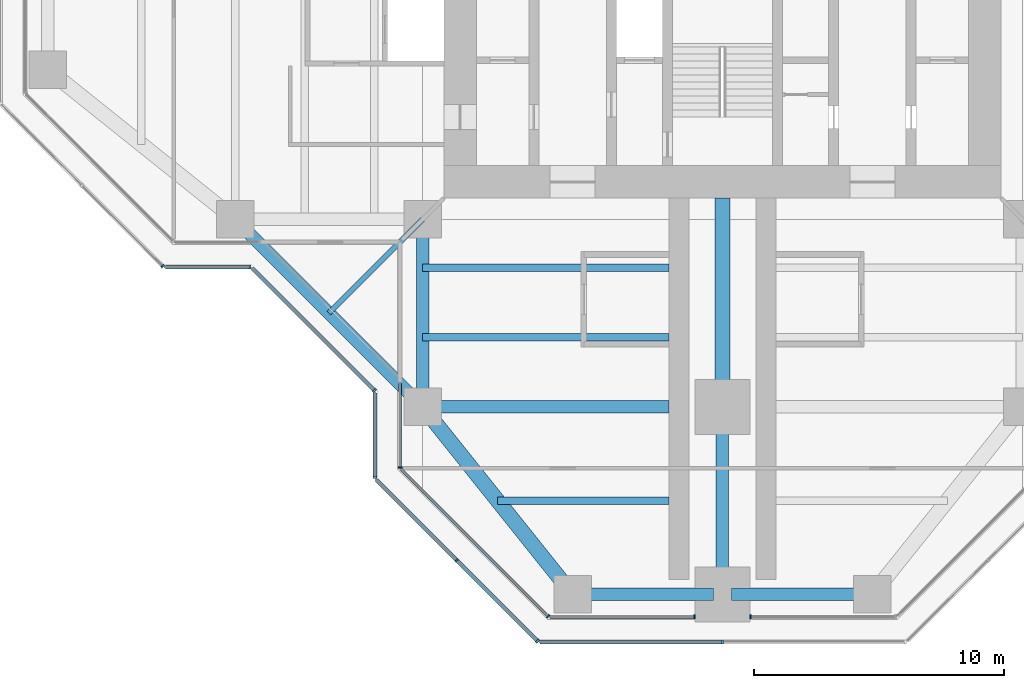
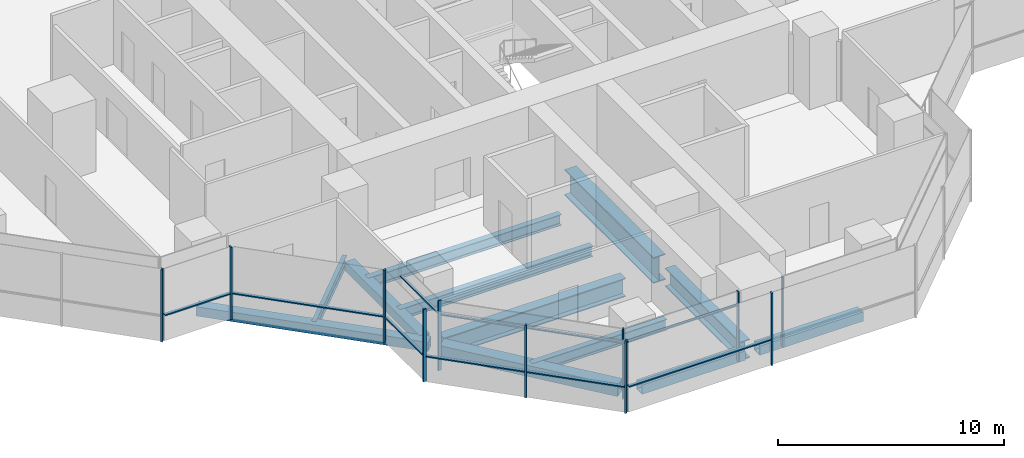
# One storey, part 2 of 17: 20 members, 12 beams, 10 elements without a shape of their own.
"""IFC4 building model written with IfcOpenShell, lengths in metres."""

from ifc_helpers import new_model, si_unit, direction, frame, origin, origin_2d, place, context, subcontext, project, spatial, rectangle, hollow_rectangle, i_section, extrude, material, material_profile, profile_set, type_object, element, aggregate, save


model = new_model("IFC4")

# Units and contexts
model_context = context("Model", 3, precision=1e-05, world=origin(), true_north=direction((0.0, 1.0)))
body_context = subcontext(model_context, "Body", "Model", "MODEL_VIEW")
ifc_project = project(units=[si_unit("LENGTHUNIT", "METRE"), si_unit("AREAUNIT", "SQUARE_METRE"), si_unit("VOLUMEUNIT", "CUBIC_METRE"), si_unit("PLANEANGLEUNIT", "RADIAN"), si_unit("MASSUNIT", "GRAM", prefix="KILO")], contexts=[model_context])

# Site, building, storey
site_placement = place(None, origin())
site = spatial("IfcSite", under=ifc_project, at=site_placement, CompositionType="ELEMENT")
building_placement = place(site_placement, origin())
building = spatial("IfcBuilding", under=site, at=building_placement, Name="Mizan Broadcast Tower", CompositionType="ELEMENT")
storey_placement = place(building_placement, frame((0.0, 0.0, 216.60009765625)))
storey = spatial("IfcBuildingStorey", under=building, at=storey_placement, Name="L50", CompositionType="ELEMENT", Elevation=216.60009765625)

# Beams
ifc_material_1 = material(Name="Steel S355", Category="steel")
ifc_material_profile_1 = material_profile(ifc_material_1, hollow_rectangle(XDim=0.5, YDim=0.5, WallThickness=0.030029296875, at=origin_2d()), Name="BOX 500x500x30")
ifc_profile_set_1 = profile_set([ifc_material_profile_1], Name="Steel S355")
beam_type_1 = type_object("IfcBeamType", Name="EDGE BEAM BOX 500x500x30", PredefinedType="SPANDREL", material=ifc_profile_set_1)
beam_1_placement = place(storey_placement, frame((-12.0, -12.449951171875, -0.380126953125), z_axis=(0.0, -1.0, 0.0), x_axis=(1.0, 0.0, 0.0)))
element("IfcBeam", 1, at=beam_1_placement, inside=storey, type_object=beam_type_1, Name="Edge beam BOX 500x500x30 L50 south arm", PredefinedType="SPANDREL", context=body_context, shape_type="SweptSolid", body=[
    extrude(hollow_rectangle(XDim=0.5, YDim=0.5, WallThickness=0.030029296875, at=origin_2d()), origin(), (0.0, 0.0, 1.0), 6.60009765625),
])
for number, where, z_axis, x_axis, name in (
    (2, (-5.639892578125, -27.0, -0.380126953125), (1.0, 0.0, 0.0), (0.0, 1.0, 0.0), "Edge beam BOX 500x500x30 L50 south arm"),
    (3, (5.639892578125, -27.0, -0.380126953125), (-1.0, 0.0, 0.0), (0.0, -1.0, 0.0), "Edge beam BOX 500x500x30 L50 south arm"),
):
    element("IfcBeam", number, at=place(storey_placement, frame(where, z_axis=z_axis, x_axis=x_axis)), inside=storey, type_object=beam_type_1, Name=name, PredefinedType="SPANDREL", context=body_context, shape_type="SweptSolid", body=[
        extrude(hollow_rectangle(XDim=0.5, YDim=0.5, WallThickness=0.030029296875, at=origin_2d()), origin(), (0.0, 0.0, 1.0), 5.27978515625),
    ])
beam_2_placement = place(storey_placement, frame((-19.5, -12.0, -0.380126953125), z_axis=(0.707106781187, -0.707106781187, 0.0), x_axis=(0.707106781187, 0.707106781187, 0.0)))
element("IfcBeam", 4, at=beam_2_placement, inside=storey, type_object=beam_type_1, Name="Winter garden edge beam L50 W", PredefinedType="SPANDREL", context=body_context, shape_type="SweptSolid", body=[
    extrude(hollow_rectangle(XDim=0.5, YDim=0.5, WallThickness=0.030029296875, at=origin_2d()), origin(), (0.0, 0.0, 1.0), 10.606689453125),
])
ifc_material_2 = material(Name="Steel S355", Category="steel")
ifc_material_profile_2 = material_profile(ifc_material_2, hollow_rectangle(XDim=0.60009765625, YDim=0.60009765625, WallThickness=0.030029296875, at=origin_2d()), Name="BOX 600x600x30")
ifc_profile_set_2 = profile_set([ifc_material_profile_2], Name="Steel S355")
beam_type_2 = type_object("IfcBeamType", Name="EDGE BEAM BOX 600x600x30", PredefinedType="SPANDREL", material=ifc_profile_set_2)
beam_3_placement = place(storey_placement, frame((-11.639892578125, -19.949951171875, -0.43017578125), z_axis=(0.624673911726, -0.780885717636, 0.0), x_axis=(0.780885717636, 0.624673911726, 0.0)))
element("IfcBeam", 5, at=beam_3_placement, inside=storey, type_object=beam_type_2, Name="Edge beam BOX 600x600x30 L50 south arm", PredefinedType="SPANDREL", context=body_context, shape_type="SweptSolid", body=[
    extrude(hollow_rectangle(XDim=0.60009765625, YDim=0.60009765625, WallThickness=0.030029296875, at=origin_2d()), origin(), (0.0, 0.0, 1.0), 8.4521484375),
])
ifc_material_3 = material(Name="Steel S460", Category="steel")
ifc_material_profile_3 = material_profile(ifc_material_3, i_section(OverallWidth=0.5, OverallDepth=1.0, WebThickness=0.02490234375, FlangeThickness=0.050048828125, at=origin_2d()), Name="WPG 1000x500")
ifc_profile_set_3 = profile_set([ifc_material_profile_3], Name="Steel S460")
beam_type_3 = type_object("IfcBeamType", Name="GIRDER WPG 1000x500", PredefinedType="BEAM", material=ifc_profile_set_3)
beam_4_placement = place(storey_placement, frame((0.0, -19.949951171875, -0.630126953125), z_axis=(0.0, -1.0, 0.0), x_axis=(1.0, 0.0, 0.0)))
element("IfcBeam", 6, at=beam_4_placement, inside=storey, type_object=beam_type_3, Name="Girder WPG 1000x500 L50 south arm", PredefinedType="BEAM", context=body_context, shape_type="SweptSolid", body=[
    extrude(i_section(OverallWidth=0.5, OverallDepth=1.0, WebThickness=0.02490234375, FlangeThickness=0.050048828125, at=origin_2d()), origin(), (0.0, 0.0, 1.0), 6.60009765625),
])
beam_5_placement = place(storey_placement, frame((-11.408935546875, -19.5, -0.630126953125), z_axis=(1.0, 0.0, 0.0), x_axis=(0.0, 1.0, 0.0)))
element("IfcBeam", 7, at=beam_5_placement, inside=storey, type_object=beam_type_3, Name="Girder WPG 1000x500 L50 south arm", PredefinedType="BEAM", context=body_context, shape_type="SweptSolid", body=[
    extrude(i_section(OverallWidth=0.5, OverallDepth=1.0, WebThickness=0.02490234375, FlangeThickness=0.050048828125, at=origin_2d()), origin(), (0.0, 0.0, 1.0), 9.259033203125),
])
ifc_material_4 = material(Name="Steel S460", Category="steel")
ifc_material_profile_4 = material_profile(ifc_material_4, i_section(OverallWidth=0.60009765625, OverallDepth=1.39990234375, WebThickness=0.02490234375, FlangeThickness=0.06005859375, at=origin_2d()), Name="WPG 1400x600")
ifc_profile_set_4 = profile_set([ifc_material_profile_4], Name="Steel S460")
beam_type_4 = type_object("IfcBeamType", Name="GIRDER WPG 1400x600", PredefinedType="BEAM", material=ifc_profile_set_4)
beam_6_placement = place(storey_placement, frame((0.0, -11.14990234375, -0.830078125), z_axis=(0.0, -1.0, 0.0), x_axis=(1.0, 0.0, 0.0)))
element("IfcBeam", 8, at=beam_6_placement, inside=storey, type_object=beam_type_4, Name="Girder WPG 1400x600 L50 south arm", PredefinedType="BEAM", context=body_context, shape_type="SweptSolid", body=[
    extrude(i_section(OverallWidth=0.60009765625, OverallDepth=1.39990234375, WebThickness=0.02490234375, FlangeThickness=0.06005859375, at=origin_2d()), origin(), (0.0, 0.0, 1.0), 7.84912109375),
])

# Curtain wall, member
ifc_material_5 = material(Name="Aluminium framed glazing", Category="aluminium")
curtain_wall_type_1 = type_object("IfcCurtainWallType", Name="INNER SKIN HIGH ZONE", PredefinedType="USERDEFINED", material=ifc_material_5)
curtain_wall_1_placement = place(storey_placement, origin())
curtain_wall_1 = element("IfcCurtainWall", 9, at=curtain_wall_1_placement, inside=storey, type_object=curtain_wall_type_1, Name="Inner skin high zone L50 S side", ObjectType="INNER SKIN HIGH ZONE", PredefinedType="USERDEFINED")
ifc_material_6 = material(Name="Aluminium, pale anodised", Category="aluminium")
ifc_material_profile_5 = material_profile(ifc_material_6, rectangle(XDim=0.159912109375, YDim=0.06005859375, at=origin_2d()), Name="MULLION 160x60")
ifc_profile_set_5 = profile_set([ifc_material_profile_5], Name="Aluminium, pale anodised")
member_type_1 = type_object("IfcMemberType", Name="INNER SKIN MULLION 60x160", PredefinedType="MULLION", material=ifc_profile_set_5)
member_1_placement = place(storey_placement, frame((-12.89990234375, -21.928466796875, 0.0), z_axis=(0.0, 0.0, 1.0), x_axis=(1.0, 0.0, 0.0)))
member_1 = element("IfcMember", 10, at=member_1_placement, type_object=member_type_1, Name="Inner skin high zone L50 S side mullion 2", PredefinedType="MULLION", context=body_context, shape_type="SweptSolid", body=[
    extrude(rectangle(XDim=0.159912109375, YDim=0.06005859375, at=origin_2d()), origin(), (0.0, 0.0, 1.0), 3.77001953125),
])

curtain_wall_2_placement = place(storey_placement, origin())
curtain_wall_2 = element("IfcCurtainWall", 11, at=curtain_wall_2_placement, inside=storey, type_object=curtain_wall_type_1, Name="Inner skin high zone L50 S chamfer", ObjectType="INNER SKIN HIGH ZONE", PredefinedType="USERDEFINED")
member_2_placement = place(storey_placement, frame((-6.979736328125, -27.87890625, 0.0), z_axis=(0.0, 0.0, 1.0), x_axis=(0.707106781187, 0.707106781187, 0.0)))
member_2 = element("IfcMember", 12, at=member_2_placement, type_object=member_type_1, Name="Inner skin high zone L50 S chamfer mullion 2", PredefinedType="MULLION", context=body_context, shape_type="SweptSolid", body=[
    extrude(rectangle(XDim=0.159912109375, YDim=0.06005859375, at=origin_2d()), origin(), (0.0, 0.0, 1.0), 3.77001953125),
])

curtain_wall_3_placement = place(storey_placement, origin())
curtain_wall_3 = element("IfcCurtainWall", 13, at=curtain_wall_3_placement, inside=storey, type_object=curtain_wall_type_1, Name="Inner skin high zone L50 S end", ObjectType="INNER SKIN HIGH ZONE", PredefinedType="USERDEFINED")
member_3_placement = place(storey_placement, frame((-1.1298828125, -27.89990234375, 0.0), z_axis=(0.0, 0.0, 1.0), x_axis=(0.0, 1.0, 0.0)))
member_3 = element("IfcMember", 14, at=member_3_placement, type_object=member_type_1, Name="Inner skin high zone L50 S end mullion 2", PredefinedType="MULLION", context=body_context, shape_type="SweptSolid", body=[
    extrude(rectangle(XDim=0.159912109375, YDim=0.06005859375, at=origin_2d()), origin(), (0.0, 0.0, 1.0), 3.77001953125),
])

curtain_wall_4_placement = place(storey_placement, origin())
curtain_wall_4 = element("IfcCurtainWall", 15, at=curtain_wall_4_placement, inside=storey, type_object=curtain_wall_type_1, Name="Inner skin high zone L50 S end", ObjectType="INNER SKIN HIGH ZONE", PredefinedType="USERDEFINED")
member_4_placement = place(storey_placement, frame((1.1298828125, -27.89990234375, 0.0), z_axis=(0.0, 0.0, 1.0), x_axis=(0.0, 1.0, 0.0)))
member_4 = element("IfcMember", 16, at=member_4_placement, type_object=member_type_1, Name="Inner skin high zone L50 S end mullion 1", PredefinedType="MULLION", context=body_context, shape_type="SweptSolid", body=[
    extrude(rectangle(XDim=0.159912109375, YDim=0.06005859375, at=origin_2d()), origin(), (0.0, 0.0, 1.0), 3.77001953125),
])
aggregate(curtain_wall_4, [member_4])

# Member
ifc_material_7 = material(Name="Aluminium, pale anodised", Category="aluminium")
ifc_material_profile_6 = material_profile(ifc_material_7, rectangle(XDim=0.1201171875, YDim=0.06005859375, at=origin_2d()), Name="TRANSOM 120x60")
ifc_profile_set_6 = profile_set([ifc_material_profile_6], Name="Aluminium, pale anodised")
member_type_2 = type_object("IfcMemberType", Name="INNER SKIN TRANSOM 60x120", PredefinedType="USERDEFINED", material=ifc_profile_set_6)
member_5_placement = place(storey_placement, frame((-12.89990234375, -18.56005859375, 3.02978515625), z_axis=(0.0, -1.0, 0.0), x_axis=(1.0, 0.0, 0.0)))
member_5 = element("IfcMember", 17, at=member_5_placement, type_object=member_type_2, Name="Inner skin high zone L50 S side transom 1.1", ObjectType="TRANSOM", PredefinedType="USERDEFINED", context=body_context, shape_type="SweptSolid", body=[
    extrude(rectangle(XDim=0.1201171875, YDim=0.06005859375, at=origin_2d()), origin(), (0.0, 0.0, 1.0), 3.338623046875),
])

aggregate(curtain_wall_1, [member_1, member_5])

member_6_placement = place(storey_placement, frame((-12.857666015625, -22.0009765625, 3.02978515625), z_axis=(0.707106781187, -0.707106781187, 0.0), x_axis=(0.707106781187, 0.707106781187, 0.0)))
member_6 = element("IfcMember", 18, at=member_6_placement, type_object=member_type_2, Name="Inner skin high zone L50 S chamfer transom 1.1", ObjectType="TRANSOM", PredefinedType="USERDEFINED", context=body_context, shape_type="SweptSolid", body=[
    extrude(rectangle(XDim=0.1201171875, YDim=0.06005859375, at=origin_2d()), origin(), (0.0, 0.0, 1.0), 8.28271484375),
])

aggregate(curtain_wall_2, [member_2, member_6])

member_7_placement = place(storey_placement, frame((-6.898681640625, -27.89990234375, 3.02978515625), z_axis=(1.0, 0.0, 0.0), x_axis=(0.0, 1.0, 0.0)))
member_7 = element("IfcMember", 19, at=member_7_placement, type_object=member_type_2, Name="Inner skin high zone L50 S end transom 1.1", ObjectType="TRANSOM", PredefinedType="USERDEFINED", context=body_context, shape_type="SweptSolid", body=[
    extrude(rectangle(XDim=0.1201171875, YDim=0.06005859375, at=origin_2d()), origin(), (0.0, 0.0, 1.0), 5.73876953125),
])

aggregate(curtain_wall_3, [member_3, member_7])

# Curtain wall, member
ifc_material_8 = material(Name="Aluminium framed glazing", Category="aluminium")
curtain_wall_type_2 = type_object("IfcCurtainWallType", Name="OUTER SKIN", PredefinedType="USERDEFINED", material=ifc_material_8)
curtain_wall_5_placement = place(storey_placement, origin())
curtain_wall_5 = element("IfcCurtainWall", 20, at=curtain_wall_5_placement, inside=storey, type_object=curtain_wall_type_2, Name="Outer skin L50 W chamfer", ObjectType="OUTER SKIN", PredefinedType="USERDEFINED")
ifc_material_9 = material(Name="Aluminium, pale anodised", Category="aluminium")
ifc_material_profile_7 = material_profile(ifc_material_9, rectangle(XDim=0.159912109375, YDim=0.080078125, at=origin_2d()), Name="MULLION 160x80")
ifc_profile_set_7 = profile_set([ifc_material_profile_7], Name="Aluminium, pale anodised")
member_type_3 = type_object("IfcMemberType", Name="OUTER SKIN MULLION 80x160", PredefinedType="MULLION", material=ifc_profile_set_7)
member_8_placement = place(storey_placement, frame((-22.401123046875, -13.871826171875, 0.0), z_axis=(0.0, 0.0, 1.0), x_axis=(0.707106781187, 0.707106781187, 0.0)))
member_8 = element("IfcMember", 21, at=member_8_placement, type_object=member_type_3, Name="Outer skin L50 W chamfer mullion 3", PredefinedType="MULLION", context=body_context, shape_type="SweptSolid", body=[
    extrude(rectangle(XDim=0.159912109375, YDim=0.080078125, at=origin_2d()), origin(), (0.0, 0.0, 1.0), 3.89990234375),
])
aggregate(curtain_wall_5, [member_8])

curtain_wall_6_placement = place(storey_placement, origin())
curtain_wall_6 = element("IfcCurtainWall", 22, at=curtain_wall_6_placement, inside=storey, type_object=curtain_wall_type_2, Name="Outer skin L50 W side", ObjectType="OUTER SKIN", PredefinedType="USERDEFINED")
member_9_placement = place(storey_placement, frame((-18.912841796875, -13.89990234375, 0.0), z_axis=(0.0, 0.0, 1.0), x_axis=(0.0, 1.0, 0.0)))
member_9 = element("IfcMember", 23, at=member_9_placement, type_object=member_type_3, Name="Outer skin L50 W side mullion 2", PredefinedType="MULLION", context=body_context, shape_type="SweptSolid", body=[
    extrude(rectangle(XDim=0.159912109375, YDim=0.080078125, at=origin_2d()), origin(), (0.0, 0.0, 1.0), 3.89990234375),
])

curtain_wall_7_placement = place(storey_placement, origin())
curtain_wall_7 = element("IfcCurtainWall", 24, at=curtain_wall_7_placement, inside=storey, type_object=curtain_wall_type_2, Name="Outer skin L50 W chamfer", ObjectType="OUTER SKIN", PredefinedType="USERDEFINED")
member_10_placement = place(storey_placement, frame((-13.92822265625, -18.844482421875, 0.0), z_axis=(0.0, 0.0, 1.0), x_axis=(0.707106781187, 0.707106781187, 0.0)))
member_10 = element("IfcMember", 25, at=member_10_placement, type_object=member_type_3, Name="Outer skin L50 W chamfer mullion 2", PredefinedType="MULLION", context=body_context, shape_type="SweptSolid", body=[
    extrude(rectangle(XDim=0.159912109375, YDim=0.080078125, at=origin_2d()), origin(), (0.0, 0.0, 1.0), 3.89990234375),
])

curtain_wall_8_placement = place(storey_placement, origin())
curtain_wall_8 = element("IfcCurtainWall", 26, at=curtain_wall_8_placement, inside=storey, type_object=curtain_wall_type_2, Name="Outer skin L50 S side", ObjectType="OUTER SKIN", PredefinedType="USERDEFINED")
member_11_placement = place(storey_placement, frame((-13.89990234375, -22.332763671875, 0.0), z_axis=(0.0, 0.0, 1.0), x_axis=(1.0, 0.0, 0.0)))
member_11 = element("IfcMember", 27, at=member_11_placement, type_object=member_type_3, Name="Outer skin L50 S side mullion 2", PredefinedType="MULLION", context=body_context, shape_type="SweptSolid", body=[
    extrude(rectangle(XDim=0.159912109375, YDim=0.080078125, at=origin_2d()), origin(), (0.0, 0.0, 1.0), 3.89990234375),
])

# Curtain wall, members
curtain_wall_9_placement = place(storey_placement, origin())
curtain_wall_9 = element("IfcCurtainWall", 28, at=curtain_wall_9_placement, inside=storey, type_object=curtain_wall_type_2, Name="Outer skin L50 S chamfer", ObjectType="OUTER SKIN", PredefinedType="USERDEFINED")
member_12_placement = place(storey_placement, frame((-10.636474609375, -25.636474609375, 0.0), z_axis=(0.0, 0.0, 1.0), x_axis=(0.707106781187, 0.707106781187, 0.0)))
member_12 = element("IfcMember", 29, at=member_12_placement, type_object=member_type_3, Name="Outer skin L50 S chamfer mullion 2", PredefinedType="MULLION", context=body_context, shape_type="SweptSolid", body=[
    extrude(rectangle(XDim=0.159912109375, YDim=0.080078125, at=origin_2d()), origin(), (0.0, 0.0, 1.0), 3.89990234375),
])
member_13_placement = place(storey_placement, frame((-7.401123046875, -28.871826171875, 0.0), z_axis=(0.0, 0.0, 1.0), x_axis=(0.707106781187, 0.707106781187, 0.0)))
member_13 = element("IfcMember", 30, at=member_13_placement, type_object=member_type_3, Name="Outer skin L50 S chamfer mullion 3", PredefinedType="MULLION", context=body_context, shape_type="SweptSolid", body=[
    extrude(rectangle(XDim=0.159912109375, YDim=0.080078125, at=origin_2d()), origin(), (0.0, 0.0, 1.0), 3.89990234375),
])

# Curtain wall, member
curtain_wall_10_placement = place(storey_placement, origin())
curtain_wall_10 = element("IfcCurtainWall", 31, at=curtain_wall_10_placement, inside=storey, type_object=curtain_wall_type_2, Name="Outer skin L50 S end", ObjectType="OUTER SKIN", PredefinedType="USERDEFINED")
member_14_placement = place(storey_placement, frame((0.0, -28.89990234375, 0.0), z_axis=(0.0, 0.0, 1.0), x_axis=(0.0, 1.0, 0.0)))
member_14 = element("IfcMember", 32, at=member_14_placement, type_object=member_type_3, Name="Outer skin L50 S end mullion 2", PredefinedType="MULLION", context=body_context, shape_type="SweptSolid", body=[
    extrude(rectangle(XDim=0.159912109375, YDim=0.080078125, at=origin_2d()), origin(), (0.0, 0.0, 1.0), 3.89990234375),
])

# Member
ifc_material_10 = material(Name="Aluminium, pale anodised", Category="aluminium")
ifc_material_profile_8 = material_profile(ifc_material_10, rectangle(XDim=0.159912109375, YDim=0.06005859375, at=origin_2d()), Name="TRANSOM 160x60")
ifc_profile_set_8 = profile_set([ifc_material_profile_8], Name="Aluminium, pale anodised")
member_type_4 = type_object("IfcMemberType", Name="OUTER SKIN TRANSOM 60x160", PredefinedType="USERDEFINED", material=ifc_profile_set_8)
member_15_placement = place(storey_placement, frame((-22.292724609375, -13.89990234375, 1.39990234375), z_axis=(1.0, 0.0, 0.0), x_axis=(0.0, 1.0, 0.0)))
member_15 = element("IfcMember", 33, at=member_15_placement, type_object=member_type_4, Name="Outer skin L50 W side transom 1.1", ObjectType="TRANSOM", PredefinedType="USERDEFINED", context=body_context, shape_type="SweptSolid", body=[
    extrude(rectangle(XDim=0.159912109375, YDim=0.06005859375, at=origin_2d()), origin(), (0.0, 0.0, 1.0), 3.33984375),
])

aggregate(curtain_wall_6, [member_9, member_15])

member_16_placement = place(storey_placement, frame((-18.816162109375, -13.95654296875, 1.39990234375), z_axis=(0.707106781187, -0.707106781187, 0.0), x_axis=(0.707106781187, 0.707106781187, 0.0)))
member_16 = element("IfcMember", 34, at=member_16_placement, type_object=member_type_4, Name="Outer skin L50 W chamfer transom 1.1", ObjectType="TRANSOM", PredefinedType="USERDEFINED", context=body_context, shape_type="SweptSolid", body=[
    extrude(rectangle(XDim=0.159912109375, YDim=0.06005859375, at=origin_2d()), origin(), (0.0, 0.0, 1.0), 6.87255859375),
])

aggregate(curtain_wall_7, [member_10, member_16])

member_17_placement = place(storey_placement, frame((-13.89990234375, -18.952880859375, 1.39990234375), z_axis=(0.0, -1.0, 0.0), x_axis=(1.0, 0.0, 0.0)))
member_17 = element("IfcMember", 35, at=member_17_placement, type_object=member_type_4, Name="Outer skin L50 S side transom 1.1", ObjectType="TRANSOM", PredefinedType="USERDEFINED", context=body_context, shape_type="SweptSolid", body=[
    extrude(rectangle(XDim=0.159912109375, YDim=0.06005859375, at=origin_2d()), origin(), (0.0, 0.0, 1.0), 3.33984375),
])

aggregate(curtain_wall_8, [member_11, member_17])

member_18_placement = place(storey_placement, frame((-13.843505859375, -22.429443359375, 1.39990234375), z_axis=(0.707106781187, -0.707106781187, 0.0), x_axis=(0.707106781187, 0.707106781187, 0.0)))
member_18 = element("IfcMember", 36, at=member_18_placement, type_object=member_type_4, Name="Outer skin L50 S chamfer transom 1.1", ObjectType="TRANSOM", PredefinedType="USERDEFINED", context=body_context, shape_type="SweptSolid", body=[
    extrude(rectangle(XDim=0.159912109375, YDim=0.06005859375, at=origin_2d()), origin(), (0.0, 0.0, 1.0), 4.495361328125),
])

member_19_placement = place(storey_placement, frame((-10.608154296875, -25.664794921875, 1.39990234375), z_axis=(0.707106781187, -0.707106781187, 0.0), x_axis=(0.707106781187, 0.707106781187, 0.0)))
member_19 = element("IfcMember", 37, at=member_19_placement, type_object=member_type_4, Name="Outer skin L50 S chamfer transom 2.1", ObjectType="TRANSOM", PredefinedType="USERDEFINED", context=body_context, shape_type="SweptSolid", body=[
    extrude(rectangle(XDim=0.159912109375, YDim=0.06005859375, at=origin_2d()), origin(), (0.0, 0.0, 1.0), 4.495361328125),
])

aggregate(curtain_wall_9, [member_12, member_13, member_18, member_19])

member_20_placement = place(storey_placement, frame((-7.292724609375, -28.89990234375, 1.39990234375), z_axis=(1.0, 0.0, 0.0), x_axis=(0.0, 1.0, 0.0)))
member_20 = element("IfcMember", 38, at=member_20_placement, type_object=member_type_4, Name="Outer skin L50 S end transom 1.1", ObjectType="TRANSOM", PredefinedType="USERDEFINED", context=body_context, shape_type="SweptSolid", body=[
    extrude(rectangle(XDim=0.159912109375, YDim=0.06005859375, at=origin_2d()), origin(), (0.0, 0.0, 1.0), 7.252685546875),
])

aggregate(curtain_wall_10, [member_14, member_20])

# Beams
ifc_material_11 = material(Name="Steel S355", Category="steel")
ifc_material_profile_9 = material_profile(ifc_material_11, i_section(OverallWidth=0.300048828125, OverallDepth=0.590087890625, WebThickness=0.012939453125, FlangeThickness=0.02490234375, FilletRadius=0.027099609375, at=origin_2d()), Name="HEA 600")
ifc_profile_set_9 = profile_set([ifc_material_profile_9], Name="Steel S355")
beam_type_5 = type_object("IfcBeamType", Name="SECONDARY BEAM HEA 600", PredefinedType="JOIST", material=ifc_profile_set_9)
for number, where, z_axis, x_axis, name in (
    (39, (-12.0, -13.933349609375, -0.425048828125), (1.0, 0.0, 0.0), (0.0, 1.0, 0.0), "Secondary beam HEA 600 L50 south arm"),
    (40, (-12.0, -16.716552734375, -0.425048828125), (1.0, 0.0, 0.0), (0.0, 1.0, 0.0), "Secondary beam HEA 600 L50 south arm"),
):
    element("IfcBeam", number, at=place(storey_placement, frame(where, z_axis=z_axis, x_axis=x_axis)), inside=storey, type_object=beam_type_5, Name=name, PredefinedType="JOIST", context=body_context, shape_type="SweptSolid", body=[
        extrude(i_section(OverallWidth=0.300048828125, OverallDepth=0.590087890625, WebThickness=0.012939453125, FlangeThickness=0.02490234375, FilletRadius=0.027099609375, at=origin_2d()), origin(), (0.0, 0.0, 1.0), 9.85009765625),
    ])
beam_7_placement = place(storey_placement, frame((-9.0, -23.25, -0.425048828125), z_axis=(1.0, 0.0, 0.0), x_axis=(0.0, 1.0, 0.0)))
element("IfcBeam", 41, at=beam_7_placement, inside=storey, type_object=beam_type_5, Name="Secondary beam HEA 600 L50 south arm", PredefinedType="JOIST", context=body_context, shape_type="SweptSolid", body=[
    extrude(i_section(OverallWidth=0.300048828125, OverallDepth=0.590087890625, WebThickness=0.012939453125, FlangeThickness=0.02490234375, FilletRadius=0.027099609375, at=origin_2d()), origin(), (0.0, 0.0, 1.0), 6.85009765625),
])
ifc_material_12 = material(Name="Steel S355", Category="steel")
ifc_material_profile_10 = material_profile(ifc_material_12, i_section(OverallWidth=0.2099609375, OverallDepth=0.550048828125, WebThickness=0.010986328125, FlangeThickness=0.01708984375, FilletRadius=0.02392578125, at=origin_2d()), Name="IPE 550")
ifc_profile_set_10 = profile_set([ifc_material_profile_10], Name="Steel S355")
beam_type_6 = type_object("IfcBeamType", Name="SECONDARY BEAM IPE 550", PredefinedType="JOIST", material=ifc_profile_set_10)
beam_8_placement = place(storey_placement, frame((-12.0, -12.0, -0.405029296875), z_axis=(-0.707106781187, -0.707106781187, 0.0), x_axis=(0.707106781187, -0.707106781187, 0.0)))
element("IfcBeam", 42, at=beam_8_placement, inside=storey, type_object=beam_type_6, Name="Winter garden beam L50 W", PredefinedType="JOIST", context=body_context, shape_type="SweptSolid", body=[
    extrude(i_section(OverallWidth=0.2099609375, OverallDepth=0.550048828125, WebThickness=0.010986328125, FlangeThickness=0.01708984375, FilletRadius=0.02392578125, at=origin_2d()), origin(), (0.0, 0.0, 1.0), 5.30322265625),
])

save(model, "model.ifc")
